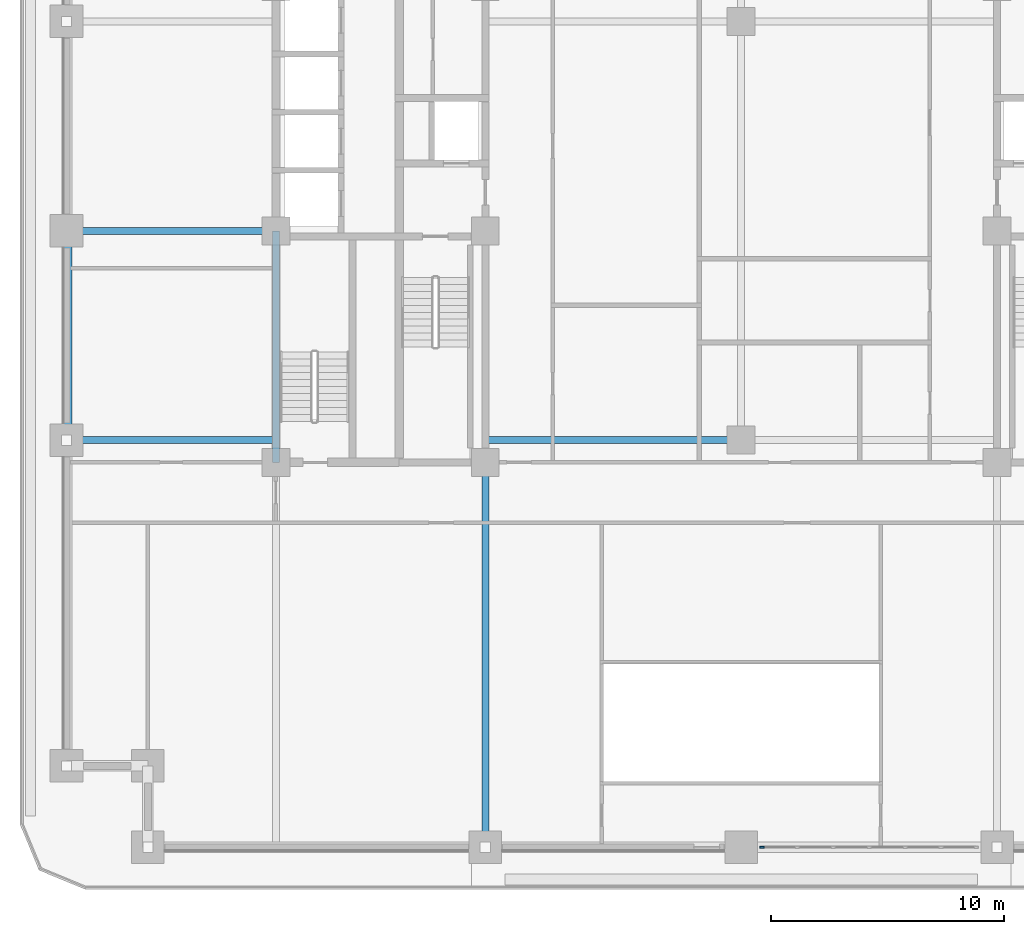
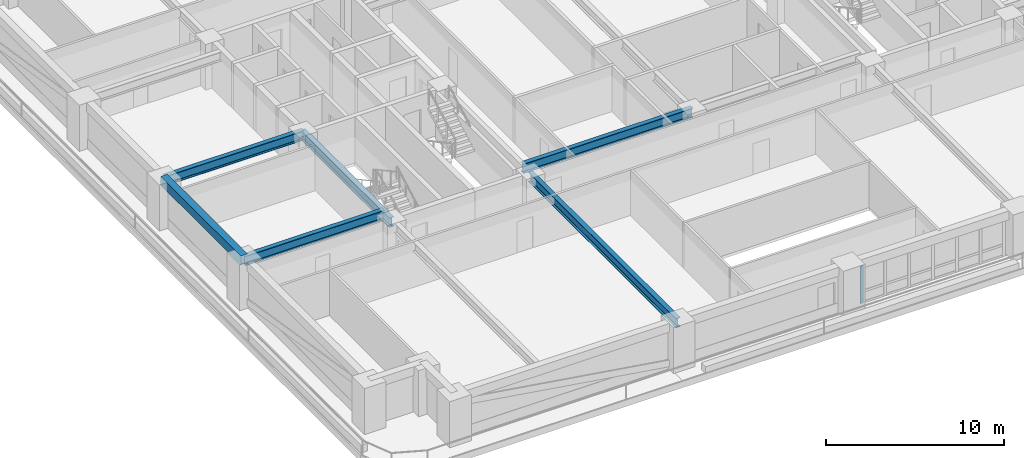
# One storey, part 2 of 18: 6 beams, 1 member, 1 element without a shape of its own.
"""IFC4 building model written with IfcOpenShell, lengths in metres."""

from ifc_helpers import new_model, si_unit, direction, frame, origin, origin_2d, place, context, subcontext, project, spatial, rectangle, i_section, extrude, material, material_profile, profile_set, type_object, element, aggregate, save


model = new_model("IFC4")

# Units and contexts
model_context = context("Model", 3, precision=1e-05, world=origin(), true_north=direction((0.0, 1.0)))
body_context = subcontext(model_context, "Body", "Model", "MODEL_VIEW")
ifc_project = project(units=[si_unit("LENGTHUNIT", "METRE"), si_unit("AREAUNIT", "SQUARE_METRE"), si_unit("VOLUMEUNIT", "CUBIC_METRE"), si_unit("PLANEANGLEUNIT", "RADIAN"), si_unit("MASSUNIT", "GRAM", prefix="KILO")], contexts=[model_context])

# Site, building, storey
site_placement = place(None, origin())
site = spatial("IfcSite", under=ifc_project, at=site_placement, CompositionType="ELEMENT")
building_placement = place(site_placement, origin())
building = spatial("IfcBuilding", under=site, at=building_placement, Name="Zulmaris Gate Convention Tower", CompositionType="ELEMENT")
storey_placement = place(building_placement, frame((0.0, 0.0, 78.60986328125)))
storey = spatial("IfcBuildingStorey", under=building, at=storey_placement, Name="L19", CompositionType="ELEMENT", Elevation=78.60986328125)

# Beams
ifc_material_1 = material(Name="Steel S355", Category="steel")
ifc_material_profile_1 = material_profile(ifc_material_1, i_section(OverallWidth=0.300048828125, OverallDepth=0.64990234375, WebThickness=0.01611328125, FlangeThickness=0.031005859375, FilletRadius=0.027099609375, at=origin_2d()), Name="HEB 650")
ifc_profile_set_1 = profile_set([ifc_material_profile_1], Name="Steel S355")
beam_type_1 = type_object("IfcBeamType", Name="BM-HEB650", PredefinedType="BEAM", material=ifc_profile_set_1)
beam_1_placement = place(storey_placement, frame((-11.0, -9.0, 2.818115234375), z_axis=(1.0, 0.0, 0.0), x_axis=(0.0, 1.0, 0.0)))
element("IfcBeam", 1, at=beam_1_placement, inside=storey, type_object=beam_type_1, Name="L19 Beam BM-L19-G01", PredefinedType="BEAM", context=body_context, shape_type="SweptSolid", body=[
    extrude(i_section(OverallWidth=0.300048828125, OverallDepth=0.64990234375, WebThickness=0.01611328125, FlangeThickness=0.031005859375, FilletRadius=0.027099609375, at=origin_2d()), origin(), (0.0, 0.0, 1.0), 11.0),
])
beam_2_placement = place(storey_placement, frame((-11.0, -26.5, 2.818115234375), z_axis=(0.0, 1.0, 0.0), x_axis=(-1.0, 0.0, 0.0)))
element("IfcBeam", 2, at=beam_2_placement, inside=storey, type_object=beam_type_1, Name="L19 Beam BM-L19-G08", PredefinedType="BEAM", context=body_context, shape_type="SweptSolid", body=[
    extrude(i_section(OverallWidth=0.300048828125, OverallDepth=0.64990234375, WebThickness=0.01611328125, FlangeThickness=0.031005859375, FilletRadius=0.027099609375, at=origin_2d()), origin(), (0.0, 0.0, 1.0), 16.550048828125),
])
for number, where, z_axis, x_axis, name in (
    (3, (-29.0, -9.0, 2.818115234375), (1.0, 0.0, 0.0), (0.0, 1.0, 0.0), "L19 Beam BM-L19-G16"),
    (4, (-29.0, 0.0, 2.818115234375), (1.0, 0.0, 0.0), (0.0, 1.0, 0.0), "L19 Beam BM-L19-G17"),
):
    element("IfcBeam", number, at=place(storey_placement, frame(where, z_axis=z_axis, x_axis=x_axis)), inside=storey, type_object=beam_type_1, Name=name, PredefinedType="BEAM", context=body_context, shape_type="SweptSolid", body=[
        extrude(i_section(OverallWidth=0.300048828125, OverallDepth=0.64990234375, WebThickness=0.01611328125, FlangeThickness=0.031005859375, FilletRadius=0.027099609375, at=origin_2d()), origin(), (0.0, 0.0, 1.0), 9.0),
    ])
beam_3_placement = place(storey_placement, frame((-20.0, -9.949951171875, 2.818115234375), z_axis=(0.0, 1.0, 0.0), x_axis=(-1.0, 0.0, 0.0)))
element("IfcBeam", 5, at=beam_3_placement, inside=storey, type_object=beam_type_1, Name="L19 Beam BM-L19-G26", PredefinedType="BEAM", context=body_context, shape_type="SweptSolid", body=[
    extrude(i_section(OverallWidth=0.300048828125, OverallDepth=0.64990234375, WebThickness=0.01611328125, FlangeThickness=0.031005859375, FilletRadius=0.027099609375, at=origin_2d()), origin(), (0.0, 0.0, 1.0), 9.949951171875),
])
ifc_material_2 = material(Name="Precast concrete C50/60", Category="concrete")
ifc_material_profile_2 = material_profile(ifc_material_2, rectangle(XDim=0.449951171875, YDim=0.60009765625, at=origin_2d()), Name="RC SPANDREL 450x600")
ifc_profile_set_2 = profile_set([ifc_material_profile_2], Name="Precast concrete C50/60")
beam_type_2 = type_object("IfcBeamType", Name="BM-SP450x600", PredefinedType="SPANDREL", material=ifc_profile_set_2)
beam_4_placement = place(storey_placement, frame((-29.0, 0.0, 2.844970703125), z_axis=(0.0, -1.0, 0.0), x_axis=(1.0, 0.0, 0.0)))
element("IfcBeam", 6, at=beam_4_placement, inside=storey, type_object=beam_type_2, Name="L19 Spandrel SP-L19-21", PredefinedType="SPANDREL", context=body_context, shape_type="SweptSolid", body=[
    extrude(rectangle(XDim=0.449951171875, YDim=0.60009765625, at=origin_2d()), origin(), (0.0, 0.0, 1.0), 9.0),
])

# Curtain wall, member
ifc_material_3 = material(Name="Anodised Aluminium", Category="aluminium")
curtain_wall_type = type_object("IfcCurtainWallType", Name="CW-05", PredefinedType="NOTDEFINED", material=ifc_material_3)
curtain_wall_placement = place(storey_placement, origin())
curtain_wall = element("IfcCurtainWall", 7, at=curtain_wall_placement, inside=storey, type_object=curtain_wall_type, Name="CW-05 CW05-L19-S-2_0", PredefinedType="NOTDEFINED")
ifc_material_profile_3 = material_profile(ifc_material_3, rectangle(XDim=0.074951171875, YDim=0.179931640625, at=origin_2d()), Name="ALU MULLION 75x180")
ifc_profile_set_3 = profile_set([ifc_material_profile_3], Name="Anodised Aluminium")
member_type = type_object("IfcMemberType", Name="CW-05-MULL", PredefinedType="MULLION", material=ifc_profile_set_3)
member_placement = place(storey_placement, frame((0.8974609375, -26.5, 0.0), z_axis=(0.0, 0.0, 1.0), x_axis=(0.0, 1.0, 0.0)))
member = element("IfcMember", 8, at=member_placement, type_object=member_type, Name="CW-05 mullion 1", PredefinedType="MULLION", context=body_context, shape_type="SweptSolid", body=[
    extrude(rectangle(XDim=0.074951171875, YDim=0.179931640625, at=origin_2d()), origin(), (0.0, 0.0, 1.0), 2.537109375),
])
aggregate(curtain_wall, [member])

save(model, "model.ifc")
